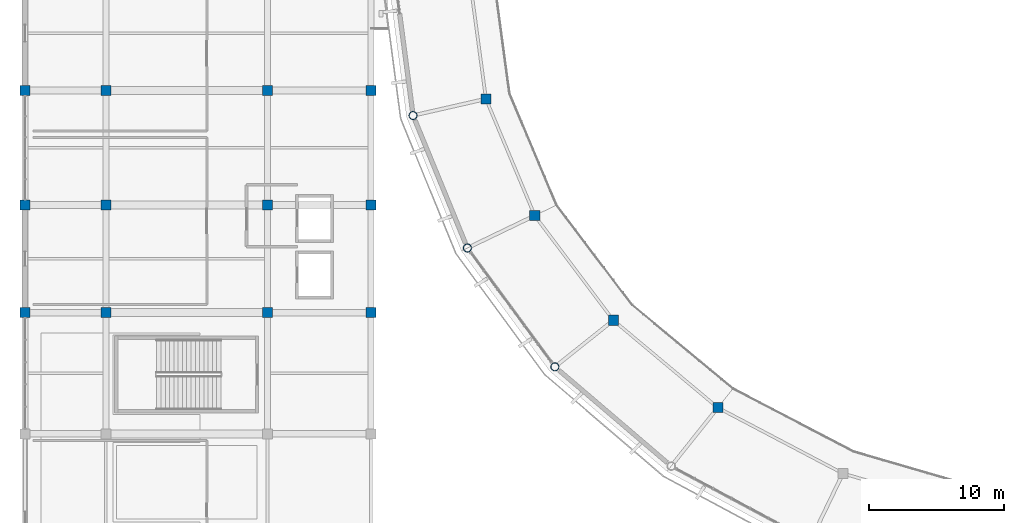
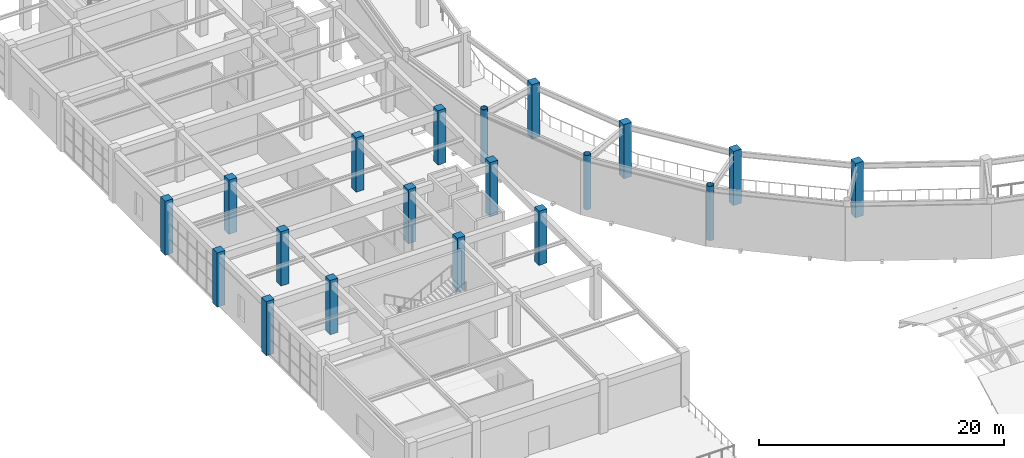
# One storey, part 3 of 70: 19 columns.
"""IFC4 building model written with IfcOpenShell, lengths in metres."""

from ifc_helpers import new_model, si_unit, direction, frame, origin, origin_2d, place, context, subcontext, project, spatial, rectangle, hollow_circle, extrude, material, material_profile, profile_set, type_object, element, save


model = new_model("IFC4")

# Units and contexts
model_context = context("Model", 3, precision=1e-05, world=origin(), true_north=direction((0.0, 1.0)))
body_context = subcontext(model_context, "Body", "Model", "MODEL_VIEW")
ifc_project = project(units=[si_unit("LENGTHUNIT", "METRE"), si_unit("AREAUNIT", "SQUARE_METRE"), si_unit("VOLUMEUNIT", "CUBIC_METRE"), si_unit("PLANEANGLEUNIT", "RADIAN"), si_unit("MASSUNIT", "GRAM", prefix="KILO")], contexts=[model_context])

# Site, building, storey
site_placement = place(None, origin())
site = spatial("IfcSite", under=ifc_project, at=site_placement, CompositionType="ELEMENT")
building_placement = place(site_placement, origin())
building = spatial("IfcBuilding", under=site, at=building_placement, Name="Cuetzalor Civic Arena", CompositionType="ELEMENT")
storey_placement = place(building_placement, frame((0.0, 0.0, 21.0)))
storey = spatial("IfcBuildingStorey", under=building, at=storey_placement, Name="L04", CompositionType="ELEMENT", Elevation=21.0)

# Columns
ifc_material_1 = material(Name="Concrete C40/50", Category="concrete")
ifc_material_profile_1 = material_profile(ifc_material_1, rectangle(XDim=0.75, YDim=0.75, at=origin_2d()), Name="RC 750x750")
ifc_profile_set_1 = profile_set([ifc_material_profile_1], Name="Concrete C40/50")
column_type_1 = type_object("IfcColumnType", Name="ConcreteColumn_750", PredefinedType="COLUMN", material=ifc_profile_set_1)
for number, where, z_axis, x_axis, name in (
    (1, (-47.771484375, -9.123291015625, 0.0), (0.0, 0.0, 1.0), (1.0, 0.0, 0.0), "Column V1-REC-16 L04"),
    (2, (-44.1474609375, -17.789306640625, 0.0), (0.0, 0.0, 1.0), (1.0, 0.0, 0.0), "Column V1-REC-17 L04"),
    (3, (-38.309814453125, -25.56298828125, 0.0), (0.0, 0.0, 1.0), (1.0, 0.0, 0.0), "Column V1-REC-18 L04"),
    (4, (-30.551025390625, -32.05517578125, 0.0), (0.0, 0.0, 1.0), (1.0, 0.0, 0.0), "Column V1-REC-19 L04"),
    (5, (-82.0, -25.0, 0.0), (0.0, 0.0, 1.0), (1.0, 0.0, 0.0), "Column V4W-C-01-04 L04"),
    (6, (-82.0, -17.0, 0.0), (0.0, 0.0, 1.0), (1.0, 0.0, 0.0), "Column V4W-C-01-05 L04"),
    (7, (-82.0, -8.5, 0.0), (0.0, 0.0, 1.0), (1.0, 0.0, 0.0), "Column V4W-C-01-06 L04"),
    (8, (-76.0, -25.0, 0.0), (0.0, 0.0, 1.0), (1.0, 0.0, 0.0), "Column V4W-C-02-04 L04"),
    (9, (-76.0, -17.0, 0.0), (0.0, 0.0, 1.0), (1.0, 0.0, 0.0), "Column V4W-C-02-05 L04"),
    (10, (-76.0, -8.5, 0.0), (0.0, 0.0, 1.0), (1.0, 0.0, 0.0), "Column V4W-C-02-06 L04"),
    (11, (-64.0, -25.0, 0.0), (0.0, 0.0, 1.0), (1.0, 0.0, 0.0), "Column V4W-C-03-04 L04"),
    (12, (-64.0, -17.0, 0.0), (0.0, 0.0, 1.0), (1.0, 0.0, 0.0), "Column V4W-C-03-05 L04"),
    (13, (-64.0, -8.5, 0.0), (0.0, 0.0, 1.0), (1.0, 0.0, 0.0), "Column V4W-C-03-06 L04"),
    (14, (-56.300048828125, -25.0, 0.0), (0.0, 0.0, 1.0), (1.0, 0.0, 0.0), "Column V4W-C-04-04 L04"),
    (15, (-56.300048828125, -17.0, 0.0), (0.0, 0.0, 1.0), (1.0, 0.0, 0.0), "Column V4W-C-04-05 L04"),
    (16, (-56.300048828125, -8.5, 0.0), (0.0, 0.0, 1.0), (1.0, 0.0, 0.0), "Column V4W-C-04-06 L04"),
):
    element("IfcColumn", number, at=place(storey_placement, frame(where, z_axis=z_axis, x_axis=x_axis)), inside=storey, type_object=column_type_1, Name=name, PredefinedType="COLUMN", context=body_context, shape_type="SweptSolid", body=[
        extrude(rectangle(XDim=0.75, YDim=0.75, at=origin_2d()), origin(), (0.0, 0.0, 1.0), 5.39990234375),
    ])
ifc_material_2 = material(Name="Steel S355", Category="steel")
ifc_material_profile_2 = material_profile(ifc_material_2, hollow_circle(Radius=0.304931640625, WallThickness=0.02490234375, at=origin_2d()), Name="CHS 610x25")
ifc_profile_set_2 = profile_set([ifc_material_profile_2], Name="Steel S355")
column_type_2 = type_object("IfcColumnType", Name="SteelDomePylon_CHS610", PredefinedType="COLUMN", material=ifc_profile_set_2)
for number, where, z_axis, x_axis, name in (
    (17, (-53.182373046875, -10.3583984375, 0.0), (0.0, 0.0, 1.0), (1.0, 0.0, 0.0), "Column V1-PYL-16 L04"),
    (18, (-49.14794921875, -20.197265625, 0.0), (0.0, 0.0, 1.0), (1.0, 0.0, 0.0), "Column V1-PYL-17 L04"),
    (19, (-42.64892578125, -29.0234375, 0.0), (0.0, 0.0, 1.0), (1.0, 0.0, 0.0), "Column V1-PYL-18 L04"),
):
    element("IfcColumn", number, at=place(storey_placement, frame(where, z_axis=z_axis, x_axis=x_axis)), inside=storey, type_object=column_type_2, Name=name, PredefinedType="COLUMN", context=body_context, shape_type="SweptSolid", body=[
        extrude(hollow_circle(Radius=0.304931640625, WallThickness=0.02490234375, at=origin_2d()), origin(), (0.0, 0.0, 1.0), 5.39990234375),
    ])

save(model, "model.ifc")
